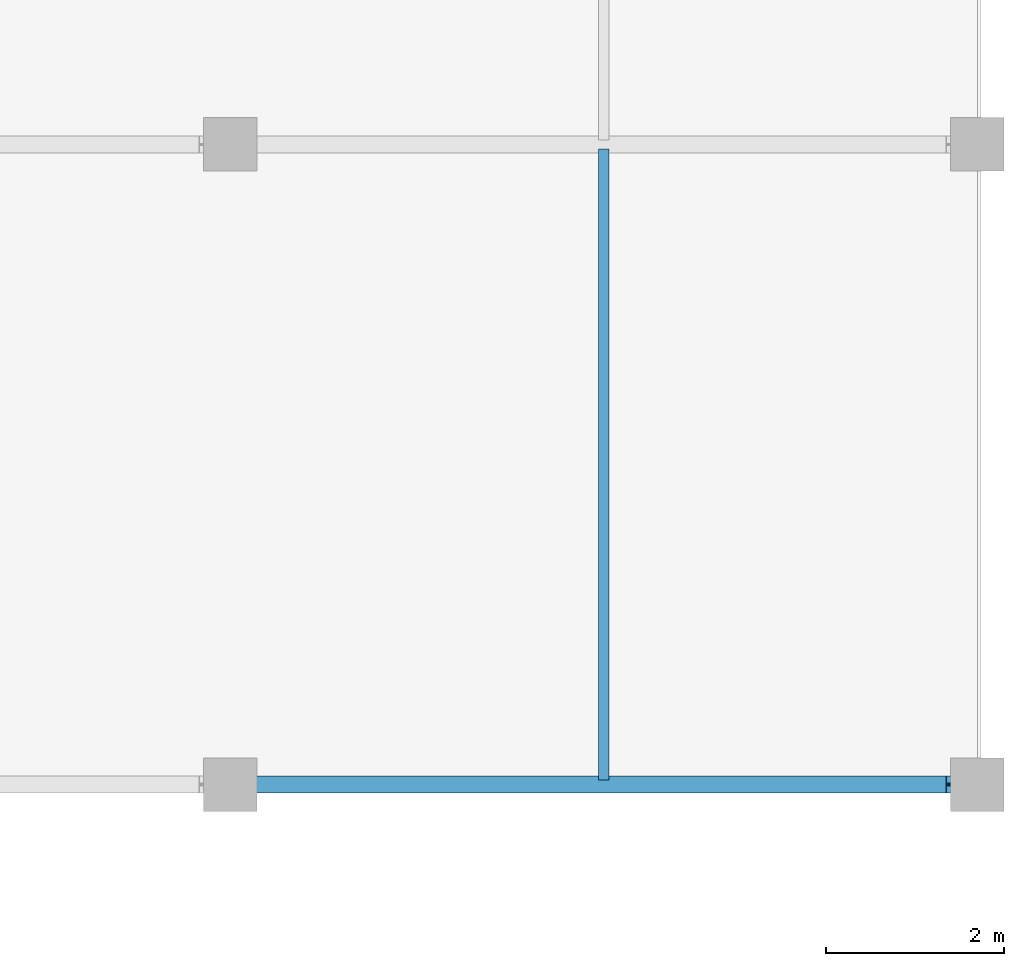
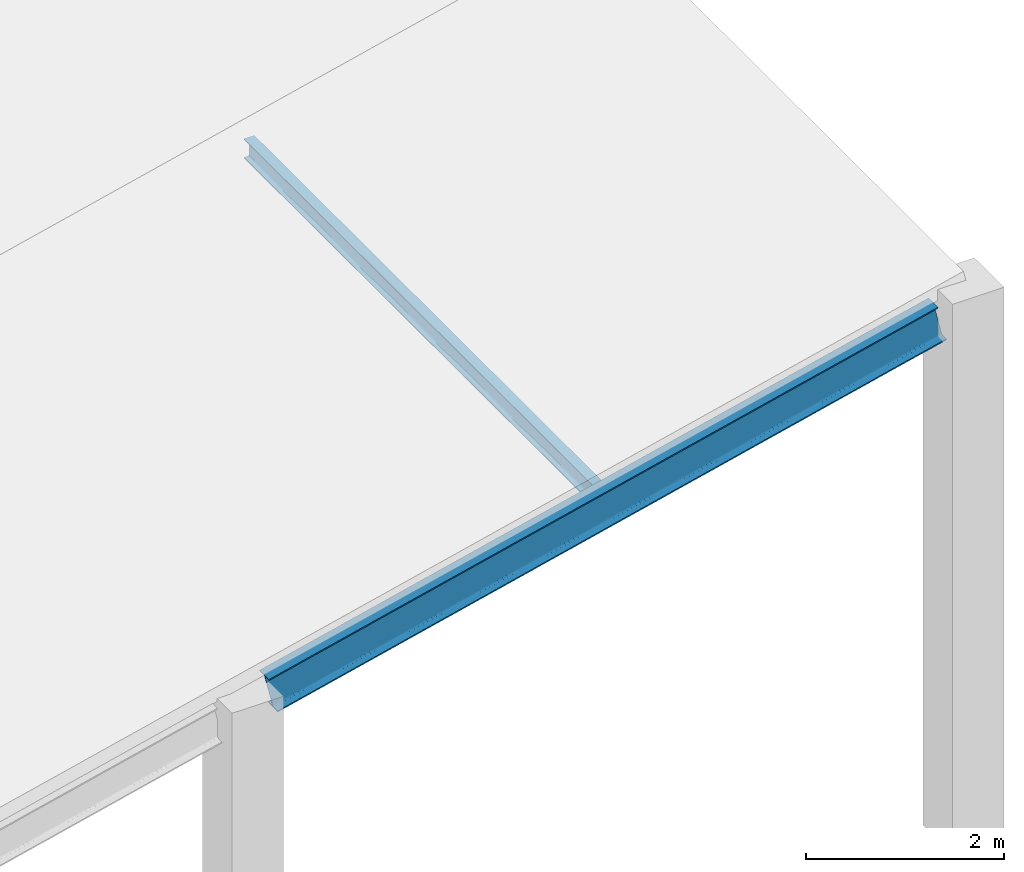
# One storey, part 24 of 51: 1 beam, 1 member.
"""IFC4 building model written with IfcOpenShell, lengths in metres."""

from ifc_helpers import new_model, si_unit, direction, frame, origin, origin_2d, place, context, subcontext, project, spatial, i_section, extrude, material, material_profile, profile_set, type_object, element, save


model = new_model("IFC4")

# Units and contexts
model_context = context("Model", 3, precision=1e-05, world=origin(), true_north=direction((0.0, 1.0)))
body_context = subcontext(model_context, "Body", "Model", "MODEL_VIEW")
ifc_project = project(units=[si_unit("LENGTHUNIT", "METRE"), si_unit("AREAUNIT", "SQUARE_METRE"), si_unit("VOLUMEUNIT", "CUBIC_METRE"), si_unit("PLANEANGLEUNIT", "RADIAN"), si_unit("MASSUNIT", "GRAM", prefix="KILO")], contexts=[model_context])

# Site, building, storey
site_placement = place(None, origin())
site = spatial("IfcSite", under=ifc_project, at=site_placement, CompositionType="ELEMENT")
building_placement = place(site_placement, origin())
building = spatial("IfcBuilding", under=site, at=building_placement, Name="Kenerak Square Central Library", CompositionType="ELEMENT")
storey_placement = place(building_placement, frame((0.0, 0.0, 9.60009765625)))
storey = spatial("IfcBuildingStorey", under=building, at=storey_placement, Name="L02", CompositionType="ELEMENT", Elevation=9.60009765625)

# Beam
ifc_material = material(Name="Steel S355", Category="steel")
ifc_material_profile_1 = material_profile(ifc_material, i_section(OverallWidth=0.18994140625, OverallDepth=0.449951171875, WebThickness=0.009521484375, FlangeThickness=0.0146484375, FilletRadius=0.02099609375, at=origin_2d()), Name="IPE 450")
ifc_profile_set_1 = profile_set([ifc_material_profile_1], Name="Steel S355")
beam_type = type_object("IfcBeamType", Name="Pavilion Roof Rafter SB-08 IPE 450 S355", PredefinedType="BEAM", material=ifc_profile_set_1)
beam_placement = place(storey_placement, frame((167.89990234375, 31.199951171875, 4.561279296875), z_axis=(0.972805561276, 0.0, 0.231623271609), x_axis=(0.0, 1.0, 0.0)))
element("IfcBeam", 1, at=beam_placement, inside=storey, type_object=beam_type, Name="Pavilion Roof Rafter SB-08 1-3", PredefinedType="BEAM", context=body_context, shape_type="SweptSolid", body=[
    extrude(i_section(OverallWidth=0.18994140625, OverallDepth=0.449951171875, WebThickness=0.009521484375, FlangeThickness=0.0146484375, FilletRadius=0.02099609375, at=origin_2d()), origin(), (0.0, 0.0, 1.0), 8.01806640625),
])

# Member
ifc_material_profile_2 = material_profile(ifc_material, i_section(OverallWidth=0.1201171875, OverallDepth=0.239990234375, WebThickness=0.006103515625, FlangeThickness=0.009765625, FilletRadius=0.014892578125, at=origin_2d()), Name="IPE 240")
ifc_profile_set_2 = profile_set([ifc_material_profile_2], Name="Steel S355")
member_type = type_object("IfcMemberType", Name="Roof Steel Purlin PR-01 IPE 240 S355", PredefinedType="PURLIN", material=ifc_profile_set_2)
member_placement = place(storey_placement, frame((171.800048828125, 31.25, 5.56982421875), z_axis=(0.0, 1.0, 0.0), x_axis=(-1.0, 0.0, 0.0)))
element("IfcMember", 2, at=member_placement, inside=storey, type_object=member_type, Name="Pavilion Roof Purlin PR-01 0216", PredefinedType="PURLIN", context=body_context, shape_type="SweptSolid", body=[
    extrude(i_section(OverallWidth=0.1201171875, OverallDepth=0.239990234375, WebThickness=0.006103515625, FlangeThickness=0.009765625, FilletRadius=0.014892578125, at=origin_2d()), origin(), (0.0, 0.0, 1.0), 7.10009765625),
])

save(model, "model.ifc")
